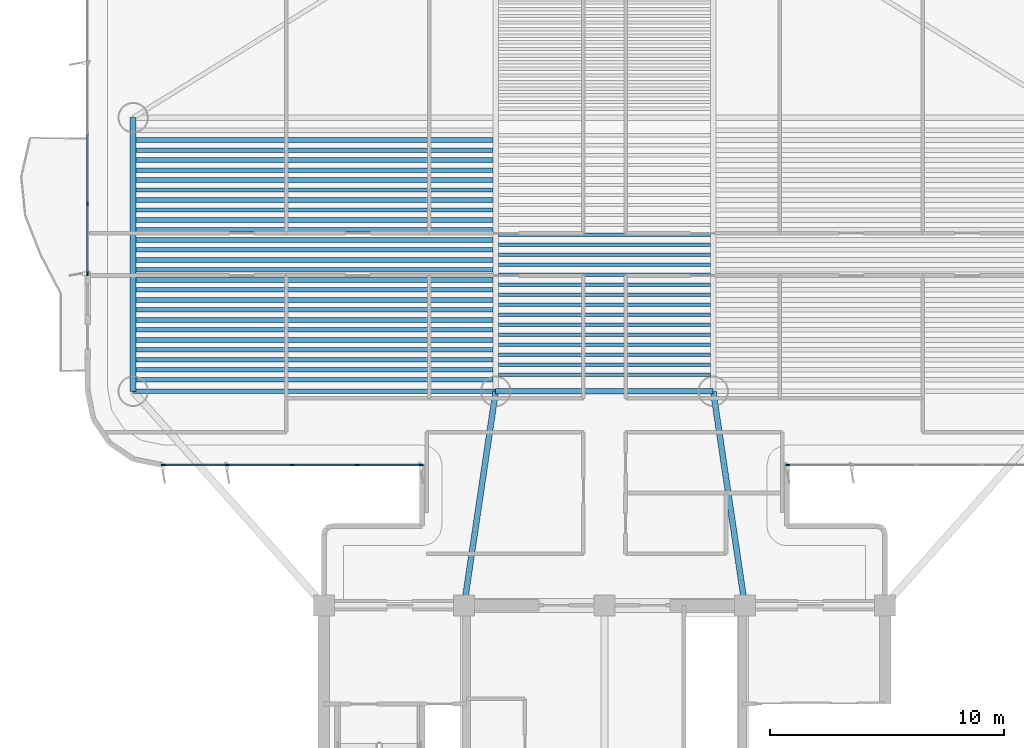
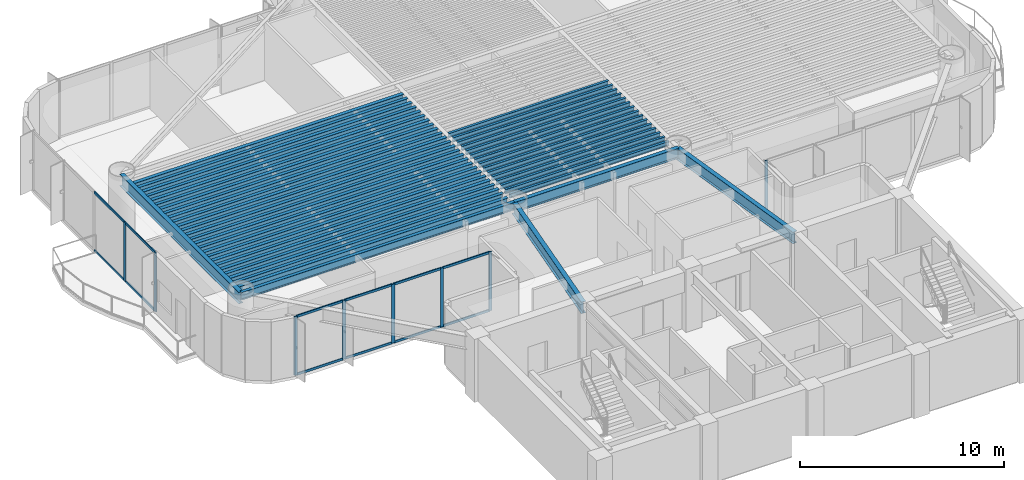
# One storey, part 2 of 16: 45 beams, 20 members, 3 elements without a shape of their own.
"""IFC4 building model written with IfcOpenShell, lengths in metres."""

from ifc_helpers import new_model, si_unit, direction, frame, origin, origin_2d, place, context, subcontext, project, spatial, rectangle, i_section, extrude, source, transform, mapped, material, layer, layer_set, material_profile, profile_set, type_object, element, aggregate, save


model = new_model("IFC4")

# Units and contexts
model_context = context("Model", 3, precision=1e-05, world=origin(), true_north=direction((0.0, 1.0)))
body_context = subcontext(model_context, "Body", "Model", "MODEL_VIEW")
ifc_project = project(units=[si_unit("LENGTHUNIT", "METRE"), si_unit("AREAUNIT", "SQUARE_METRE"), si_unit("VOLUMEUNIT", "CUBIC_METRE"), si_unit("PLANEANGLEUNIT", "RADIAN"), si_unit("MASSUNIT", "GRAM", prefix="KILO")], contexts=[model_context])

# Site, building, storey
site_placement = place(None, origin())
site = spatial("IfcSite", under=ifc_project, at=site_placement, CompositionType="ELEMENT")
building_placement = place(site_placement, origin())
building = spatial("IfcBuilding", under=site, at=building_placement, Name="Brelvock Crest Care Tower", CompositionType="ELEMENT")
storey_placement = place(building_placement, frame((0.0, 0.0, 112.5)))
storey = spatial("IfcBuildingStorey", under=building, at=storey_placement, Name="L28", CompositionType="ELEMENT", Elevation=112.5)

# Beams
ifc_material_1 = material(Name="Steel Grade 350", Category="steel")
ifc_material_profile_1 = material_profile(ifc_material_1, i_section(OverallWidth=0.22900390625, OverallDepth=0.612060546875, WebThickness=0.011962890625, FlangeThickness=0.01953125, FilletRadius=0.013916015625, at=origin_2d()), Name="610UB125")
ifc_profile_set_1 = profile_set([ifc_material_profile_1], Name="Steel Grade 350")
beam_type_1 = type_object("IfcBeamType", Name="BM-G1", PredefinedType="BEAM", material=ifc_profile_set_1)
shared_shape_1 = source(origin(), body_context, "Body", "SweptSolid", [
    extrude(i_section(OverallWidth=0.22900390625, OverallDepth=0.612060546875, WebThickness=0.011962890625, FlangeThickness=0.01953125, FilletRadius=0.013916015625, at=origin_2d()), origin(), (0.0, 0.0, 1.0), 9.2998046875),
])
beam_1_placement = place(storey_placement, frame((31.35009765625, 27.14990234375, 3.22412109375), z_axis=(1.0, 0.0, 0.0), x_axis=(0.0, 1.0, 0.0)))
element("IfcBeam", 1, at=beam_1_placement, inside=storey, type_object=beam_type_1, Name="BM-TWR-L28-05", PredefinedType="BEAM", context=body_context, shape_type="MappedRepresentation", body=[
    mapped(shared_shape_1, transform((0.0, 0.0, 0.0), x_axis=(1.0, 0.0, 0.0), y_axis=(0.0, 1.0, 0.0), z_axis=(0.0, 0.0, 1.0), scale=1.0)),
])
ifc_material_profile_2 = material_profile(ifc_material_1, i_section(OverallWidth=0.14599609375, OverallDepth=0.256103515625, WebThickness=0.00634765625, FlangeThickness=0.010986328125, FilletRadius=0.0087890625, at=origin_2d()), Name="250UB37.3")
ifc_profile_set_2 = profile_set([ifc_material_profile_2], Name="Steel Grade 350")
beam_type_2 = type_object("IfcBeamType", Name="BM-J3", PredefinedType="JOIST", material=ifc_profile_set_2)
shared_shape_2 = source(origin(), body_context, "Body", "SweptSolid", [
    extrude(i_section(OverallWidth=0.14599609375, OverallDepth=0.256103515625, WebThickness=0.00634765625, FlangeThickness=0.010986328125, FilletRadius=0.0087890625, at=origin_2d()), origin(), (0.0, 0.0, 1.0), 9.06982421875),
])
for number, where, z_axis, x_axis, name in (
    (2, (31.465087890625, 27.85498046875, 3.402099609375), (1.0, 0.0, 0.0), (0.0, 1.0, 0.0), "BM-JH-L28-1"),
    (3, (31.465087890625, 28.281982421875, 3.402099609375), (1.0, 0.0, 0.0), (0.0, 1.0, 0.0), "BM-JH-L28-2"),
    (4, (31.465087890625, 28.708984375, 3.402099609375), (1.0, 0.0, 0.0), (0.0, 1.0, 0.0), "BM-JH-L28-3"),
    (5, (31.465087890625, 29.135986328125, 3.402099609375), (1.0, 0.0, 0.0), (0.0, 1.0, 0.0), "BM-JH-L28-4"),
    (6, (31.465087890625, 29.56298828125, 3.402099609375), (1.0, 0.0, 0.0), (0.0, 1.0, 0.0), "BM-JH-L28-5"),
    (7, (31.465087890625, 29.990234375, 3.402099609375), (1.0, 0.0, 0.0), (0.0, 1.0, 0.0), "BM-JH-L28-6"),
    (8, (31.465087890625, 30.417236328125, 3.402099609375), (1.0, 0.0, 0.0), (0.0, 1.0, 0.0), "BM-JH-L28-7"),
    (9, (31.465087890625, 30.84423828125, 3.402099609375), (1.0, 0.0, 0.0), (0.0, 1.0, 0.0), "BM-JH-L28-8"),
    (10, (31.465087890625, 31.271240234375, 3.402099609375), (1.0, 0.0, 0.0), (0.0, 1.0, 0.0), "BM-JH-L28-9"),
    (11, (31.465087890625, 31.698486328125, 3.402099609375), (1.0, 0.0, 0.0), (0.0, 1.0, 0.0), "BM-JH-L28-10"),
    (12, (31.465087890625, 32.12548828125, 3.402099609375), (1.0, 0.0, 0.0), (0.0, 1.0, 0.0), "BM-JH-L28-11"),
    (13, (31.465087890625, 32.552490234375, 3.402099609375), (1.0, 0.0, 0.0), (0.0, 1.0, 0.0), "BM-JH-L28-12"),
    (14, (31.465087890625, 32.9794921875, 3.402099609375), (1.0, 0.0, 0.0), (0.0, 1.0, 0.0), "BM-JH-L28-13"),
    (15, (31.465087890625, 33.406494140625, 3.402099609375), (1.0, 0.0, 0.0), (0.0, 1.0, 0.0), "BM-JH-L28-14"),
    (16, (31.465087890625, 33.83349609375, 3.402099609375), (1.0, 0.0, 0.0), (0.0, 1.0, 0.0), "BM-JH-L28-15"),
):
    element("IfcBeam", number, at=place(storey_placement, frame(where, z_axis=z_axis, x_axis=x_axis)), inside=storey, type_object=beam_type_2, Name=name, PredefinedType="JOIST", context=body_context, shape_type="MappedRepresentation", body=[
        mapped(shared_shape_2, transform((0.0, 0.0, 0.0), x_axis=(1.0, 0.0, 0.0), y_axis=(0.0, 1.0, 0.0), z_axis=(0.0, 0.0, 1.0), scale=1.0)),
    ])
ifc_material_profile_3 = material_profile(ifc_material_1, i_section(OverallWidth=0.208984375, OverallDepth=0.532958984375, WebThickness=0.01025390625, FlangeThickness=0.015625, FilletRadius=0.013916015625, at=origin_2d()), Name="530UB92.4")
ifc_profile_set_3 = profile_set([ifc_material_profile_3], Name="Steel Grade 350")
beam_type_3 = type_object("IfcBeamType", Name="BM-G2", PredefinedType="BEAM", material=ifc_profile_set_3)
shared_shape_3 = source(origin(), body_context, "Body", "SweptSolid", [
    extrude(i_section(OverallWidth=0.208984375, OverallDepth=0.532958984375, WebThickness=0.01025390625, FlangeThickness=0.015625, FilletRadius=0.013916015625, at=origin_2d()), origin(), (0.0, 0.0, 1.0), 15.27001953125),
])
for number, where, z_axis, x_axis, name in (
    (17, (15.965087890625, 27.641357421875, 3.263427734375), (1.0, 0.0, 0.0), (0.0, 1.0, 0.0), "BM-JW-L28-1"),
    (18, (15.965087890625, 28.49560546875, 3.263427734375), (1.0, 0.0, 0.0), (0.0, 1.0, 0.0), "BM-JW-L28-3"),
    (19, (15.965087890625, 29.349609375, 3.263427734375), (1.0, 0.0, 0.0), (0.0, 1.0, 0.0), "BM-JW-L28-5"),
    (20, (15.965087890625, 30.20361328125, 3.263427734375), (1.0, 0.0, 0.0), (0.0, 1.0, 0.0), "BM-JW-L28-7"),
    (21, (15.965087890625, 31.057861328125, 3.263427734375), (1.0, 0.0, 0.0), (0.0, 1.0, 0.0), "BM-JW-L28-9"),
    (22, (15.965087890625, 31.911865234375, 3.263427734375), (1.0, 0.0, 0.0), (0.0, 1.0, 0.0), "BM-JW-L28-11"),
    (23, (15.965087890625, 32.76611328125, 3.263427734375), (1.0, 0.0, 0.0), (0.0, 1.0, 0.0), "BM-JW-L28-13"),
    (24, (15.965087890625, 33.6201171875, 3.263427734375), (1.0, 0.0, 0.0), (0.0, 1.0, 0.0), "BM-JW-L28-15"),
    (25, (15.965087890625, 34.47412109375, 3.263427734375), (1.0, 0.0, 0.0), (0.0, 1.0, 0.0), "BM-JW-L28-17"),
    (26, (15.965087890625, 35.328369140625, 3.263427734375), (1.0, 0.0, 0.0), (0.0, 1.0, 0.0), "BM-JW-L28-19"),
    (27, (15.965087890625, 36.182373046875, 3.263427734375), (1.0, 0.0, 0.0), (0.0, 1.0, 0.0), "BM-JW-L28-21"),
    (28, (15.965087890625, 37.03662109375, 3.263427734375), (1.0, 0.0, 0.0), (0.0, 1.0, 0.0), "BM-JW-L28-23"),
    (29, (15.965087890625, 37.890625, 3.263427734375), (1.0, 0.0, 0.0), (0.0, 1.0, 0.0), "BM-JW-L28-25"),
):
    element("IfcBeam", number, at=place(storey_placement, frame(where, z_axis=z_axis, x_axis=x_axis)), inside=storey, type_object=beam_type_3, Name=name, PredefinedType="BEAM", context=body_context, shape_type="MappedRepresentation", body=[
        mapped(shared_shape_3, transform((0.0, 0.0, 0.0), x_axis=(1.0, 0.0, 0.0), y_axis=(0.0, 1.0, 0.0), z_axis=(0.0, 0.0, 1.0), scale=1.0)),
    ])
ifc_material_profile_4 = material_profile(ifc_material_1, i_section(OverallWidth=0.19091796875, OverallDepth=0.4599609375, WebThickness=0.010009765625, FlangeThickness=0.01611328125, FilletRadius=0.011474609375, at=origin_2d()), Name="460UB82.1")
ifc_profile_set_4 = profile_set([ifc_material_profile_4], Name="Steel Grade 350")
beam_type_4 = type_object("IfcBeamType", Name="BM-G3", PredefinedType="BEAM", material=ifc_profile_set_4)
shared_shape_4 = source(origin(), body_context, "Body", "SweptSolid", [
    extrude(i_section(OverallWidth=0.19091796875, OverallDepth=0.4599609375, WebThickness=0.010009765625, FlangeThickness=0.01611328125, FilletRadius=0.011474609375, at=origin_2d()), origin(), (0.0, 0.0, 1.0), 15.27001953125),
])
for number, where, z_axis, x_axis, name in (
    (30, (15.965087890625, 28.068359375, 3.300048828125), (1.0, 0.0, 0.0), (0.0, 1.0, 0.0), "BM-JW-L28-2"),
    (31, (15.965087890625, 28.922607421875, 3.300048828125), (1.0, 0.0, 0.0), (0.0, 1.0, 0.0), "BM-JW-L28-4"),
    (32, (15.965087890625, 29.776611328125, 3.300048828125), (1.0, 0.0, 0.0), (0.0, 1.0, 0.0), "BM-JW-L28-6"),
    (33, (15.965087890625, 30.630615234375, 3.300048828125), (1.0, 0.0, 0.0), (0.0, 1.0, 0.0), "BM-JW-L28-8"),
    (34, (15.965087890625, 31.48486328125, 3.300048828125), (1.0, 0.0, 0.0), (0.0, 1.0, 0.0), "BM-JW-L28-10"),
    (35, (15.965087890625, 32.3388671875, 3.300048828125), (1.0, 0.0, 0.0), (0.0, 1.0, 0.0), "BM-JW-L28-12"),
    (36, (15.965087890625, 33.193115234375, 3.300048828125), (1.0, 0.0, 0.0), (0.0, 1.0, 0.0), "BM-JW-L28-14"),
    (37, (15.965087890625, 34.047119140625, 3.300048828125), (1.0, 0.0, 0.0), (0.0, 1.0, 0.0), "BM-JW-L28-16"),
    (38, (15.965087890625, 34.901123046875, 3.300048828125), (1.0, 0.0, 0.0), (0.0, 1.0, 0.0), "BM-JW-L28-18"),
    (39, (15.965087890625, 35.75537109375, 3.300048828125), (1.0, 0.0, 0.0), (0.0, 1.0, 0.0), "BM-JW-L28-20"),
    (40, (15.965087890625, 36.609619140625, 3.300048828125), (1.0, 0.0, 0.0), (0.0, 1.0, 0.0), "BM-JW-L28-22"),
    (41, (15.965087890625, 37.46337890625, 3.300048828125), (1.0, 0.0, 0.0), (0.0, 1.0, 0.0), "BM-JW-L28-24"),
):
    element("IfcBeam", number, at=place(storey_placement, frame(where, z_axis=z_axis, x_axis=x_axis)), inside=storey, type_object=beam_type_4, Name=name, PredefinedType="BEAM", context=body_context, shape_type="MappedRepresentation", body=[
        mapped(shared_shape_4, transform((0.0, 0.0, 0.0), x_axis=(1.0, 0.0, 0.0), y_axis=(0.0, 1.0, 0.0), z_axis=(0.0, 0.0, 1.0), scale=1.0)),
    ])
ifc_material_profile_5 = material_profile(ifc_material_1, i_section(OverallWidth=0.25, OverallDepth=0.699951171875, WebThickness=0.011962890625, FlangeThickness=0.02001953125, at=origin_2d()), Name="700WB150")
ifc_profile_set_5 = profile_set([ifc_material_profile_5], Name="Steel Grade 350")
beam_type_5 = type_object("IfcBeamType", Name="BM-G4", PredefinedType="BEAM", material=ifc_profile_set_5)
shared_shape_5 = source(origin(), body_context, "Body", "SweptSolid", [
    extrude(i_section(OverallWidth=0.25, OverallDepth=0.699951171875, WebThickness=0.011962890625, FlangeThickness=0.02001953125, at=origin_2d()), origin(), (0.0, 0.0, 1.0), 11.7001953125),
])
beam_2_placement = place(storey_placement, frame((15.85009765625, 27.14990234375, 3.179931640625), z_axis=(0.0, 1.0, 0.0), x_axis=(-1.0, 0.0, 0.0)))
element("IfcBeam", 42, at=beam_2_placement, inside=storey, type_object=beam_type_5, Name="BM-TWR-L28-01", PredefinedType="BEAM", context=body_context, shape_type="MappedRepresentation", body=[
    mapped(shared_shape_5, transform((0.0, 0.0, 0.0), x_axis=(1.0, 0.0, 0.0), y_axis=(0.0, 1.0, 0.0), z_axis=(0.0, 0.0, 1.0), scale=1.0)),
])
ifc_material_profile_6 = material_profile(ifc_material_1, i_section(OverallWidth=0.19091796875, OverallDepth=0.4599609375, WebThickness=0.010009765625, FlangeThickness=0.01611328125, FilletRadius=0.011474609375, at=origin_2d()), Name="460UB82.1")
ifc_profile_set_6 = profile_set([ifc_material_profile_6], Name="Steel Grade 350")
beam_type_6 = type_object("IfcBeamType", Name="BM-SP2", PredefinedType="SPANDREL", material=ifc_profile_set_6)
shared_shape_6 = source(origin(), body_context, "Body", "SweptSolid", [
    extrude(i_section(OverallWidth=0.19091796875, OverallDepth=0.4599609375, WebThickness=0.010009765625, FlangeThickness=0.01611328125, FilletRadius=0.011474609375, at=origin_2d()), origin(), (0.0, 0.0, 1.0), 15.5),
])
beam_3_placement = place(storey_placement, frame((15.85009765625, 27.14990234375, 3.300048828125), z_axis=(1.0, 0.0, 0.0), x_axis=(0.0, 1.0, 0.0)))
element("IfcBeam", 43, at=beam_3_placement, inside=storey, type_object=beam_type_6, Name="BM-TWR-L28-03", PredefinedType="SPANDREL", context=body_context, shape_type="MappedRepresentation", body=[
    mapped(shared_shape_6, transform((0.0, 0.0, 0.0), x_axis=(1.0, 0.0, 0.0), y_axis=(0.0, 1.0, 0.0), z_axis=(0.0, 0.0, 1.0), scale=1.0)),
])
shared_shape_7 = source(origin(), body_context, "Body", "SweptSolid", [
    extrude(i_section(OverallWidth=0.25, OverallDepth=0.699951171875, WebThickness=0.011962890625, FlangeThickness=0.02001953125, at=origin_2d()), origin(), (0.0, 0.0, 1.0), 9.2490234375),
])
for number, where, z_axis, x_axis, name in (
    (44, (30.0, 18.0, 3.179931640625), (0.145972731602, 0.989288613918, 0.0), (-0.989288613918, 0.145972731602, 0.0), "BM-THRW-L28"),
    (45, (42.0, 18.0, 3.179931640625), (-0.145972731602, 0.989288613918, 0.0), (-0.989288613918, -0.145972731602, 0.0), "BM-THRE-L28"),
):
    element("IfcBeam", number, at=place(storey_placement, frame(where, z_axis=z_axis, x_axis=x_axis)), inside=storey, type_object=beam_type_5, Name=name, PredefinedType="BEAM", context=body_context, shape_type="MappedRepresentation", body=[
        mapped(shared_shape_7, transform((0.0, 0.0, 0.0), x_axis=(1.0, 0.0, 0.0), y_axis=(0.0, 1.0, 0.0), z_axis=(0.0, 0.0, 1.0), scale=1.0)),
    ])

# Curtain wall, members
ifc_material_2 = material(Name="Dark Glass Double Glazed Low-E", Category="glass")
ifc_layer = layer(ifc_material_2, 0.2099609375, Name="CWS-3")
ifc_layer_set = layer_set([ifc_layer], Name="Dark Glass Double Glazed Low-E")
curtain_wall_type = type_object("IfcCurtainWallType", Name="CWS-3", PredefinedType="NOTDEFINED", material=ifc_layer_set)
curtain_wall_1_placement = place(storey_placement, origin())
curtain_wall_1 = element("IfcCurtainWall", 46, at=curtain_wall_1_placement, inside=storey, type_object=curtain_wall_type, Name="L28 Curtain Wall E12", PredefinedType="NOTDEFINED")
ifc_material_3 = material(Name="Aluminium 6063-T6", Category="aluminium")
ifc_material_profile_7 = material_profile(ifc_material_3, rectangle(XDim=0.06005859375, YDim=0.179931640625, at=origin_2d()), Name="ALU60x180")
ifc_profile_set_7 = profile_set([ifc_material_profile_7], Name="Aluminium 6063-T6")
member_type_1 = type_object("IfcMemberType", Name="CWM-2", PredefinedType="MULLION", material=ifc_profile_set_7)
shared_shape_8 = source(origin(), body_context, "Body", "SweptSolid", [
    extrude(rectangle(XDim=0.06005859375, YDim=0.179931640625, at=origin_2d()), origin(), (0.0, 0.0, 1.0), 3.530029296875),
])
member_1_placement = place(storey_placement, frame((28.169921875, 24.0, 0.0), z_axis=(0.0, 0.0, 1.0), x_axis=(0.0, -1.0, 0.0)))
member_1 = element("IfcMember", 47, at=member_1_placement, type_object=member_type_1, Name="CW-3 mullion 1", PredefinedType="MULLION", context=body_context, shape_type="MappedRepresentation", body=[
    mapped(shared_shape_8, transform((0.0, 0.0, 0.0), x_axis=(1.0, 0.0, 0.0), y_axis=(0.0, 1.0, 0.0), z_axis=(0.0, 0.0, 1.0), scale=1.0)),
])
member_2_placement = place(storey_placement, frame((25.425048828125, 24.0, 0.0), z_axis=(0.0, 0.0, 1.0), x_axis=(0.0, -1.0, 0.0)))
member_2 = element("IfcMember", 48, at=member_2_placement, type_object=member_type_1, Name="CW-3 mullion 2", PredefinedType="MULLION", context=body_context, shape_type="MappedRepresentation", body=[
    mapped(shared_shape_8, transform((0.0, 0.0, 0.0), x_axis=(1.0, 0.0, 0.0), y_axis=(0.0, 1.0, 0.0), z_axis=(0.0, 0.0, 1.0), scale=1.0)),
])
member_3_placement = place(storey_placement, frame((22.64990234375, 24.0, 0.0), z_axis=(0.0, 0.0, 1.0), x_axis=(0.0, -1.0, 0.0)))
member_3 = element("IfcMember", 49, at=member_3_placement, type_object=member_type_1, Name="CW-3 mullion 3", PredefinedType="MULLION", context=body_context, shape_type="MappedRepresentation", body=[
    mapped(shared_shape_8, transform((0.0, 0.0, 0.0), x_axis=(1.0, 0.0, 0.0), y_axis=(0.0, 1.0, 0.0), z_axis=(0.0, 0.0, 1.0), scale=1.0)),
])
member_4_placement = place(storey_placement, frame((19.875, 24.0, 0.0), z_axis=(0.0, 0.0, 1.0), x_axis=(0.0, -1.0, 0.0)))
member_4 = element("IfcMember", 50, at=member_4_placement, type_object=member_type_1, Name="CW-3 mullion 4", PredefinedType="MULLION", context=body_context, shape_type="MappedRepresentation", body=[
    mapped(shared_shape_8, transform((0.0, 0.0, 0.0), x_axis=(1.0, 0.0, 0.0), y_axis=(0.0, 1.0, 0.0), z_axis=(0.0, 0.0, 1.0), scale=1.0)),
])
member_5_placement = place(storey_placement, frame((17.1298828125, 24.0, 0.0), z_axis=(0.0, 0.0, 1.0), x_axis=(0.0, -1.0, 0.0)))
member_5 = element("IfcMember", 51, at=member_5_placement, type_object=member_type_1, Name="CW-3 mullion 5", PredefinedType="MULLION", context=body_context, shape_type="MappedRepresentation", body=[
    mapped(shared_shape_8, transform((0.0, 0.0, 0.0), x_axis=(1.0, 0.0, 0.0), y_axis=(0.0, 1.0, 0.0), z_axis=(0.0, 0.0, 1.0), scale=1.0)),
])

curtain_wall_2_placement = place(storey_placement, origin())
curtain_wall_2 = element("IfcCurtainWall", 52, at=curtain_wall_2_placement, inside=storey, type_object=curtain_wall_type, Name="L28 Curtain Wall E17B", PredefinedType="NOTDEFINED")
member_6_placement = place(storey_placement, frame((13.89990234375, 32.179931640625, 0.0), z_axis=(0.0, 0.0, 1.0), x_axis=(-1.0, 0.0, 0.0)))
member_6 = element("IfcMember", 53, at=member_6_placement, type_object=member_type_1, Name="CW-3 mullion 1", PredefinedType="MULLION", context=body_context, shape_type="MappedRepresentation", body=[
    mapped(shared_shape_8, transform((0.0, 0.0, 0.0), x_axis=(1.0, 0.0, 0.0), y_axis=(0.0, 1.0, 0.0), z_axis=(0.0, 0.0, 1.0), scale=1.0)),
])
member_7_placement = place(storey_placement, frame((13.89990234375, 35.16259765625, 0.0), z_axis=(0.0, 0.0, 1.0), x_axis=(-1.0, 0.0, 0.0)))
member_7 = element("IfcMember", 54, at=member_7_placement, type_object=member_type_1, Name="CW-3 mullion 2", PredefinedType="MULLION", context=body_context, shape_type="MappedRepresentation", body=[
    mapped(shared_shape_8, transform((0.0, 0.0, 0.0), x_axis=(1.0, 0.0, 0.0), y_axis=(0.0, 1.0, 0.0), z_axis=(0.0, 0.0, 1.0), scale=1.0)),
])

# Curtain wall, member
curtain_wall_3_placement = place(storey_placement, origin())
curtain_wall_3 = element("IfcCurtainWall", 55, at=curtain_wall_3_placement, inside=storey, type_object=curtain_wall_type, Name="L28 Curtain Wall E44", PredefinedType="NOTDEFINED")
member_8_placement = place(storey_placement, frame((43.830078125, 24.0, 0.0), z_axis=(0.0, 0.0, 1.0), x_axis=(0.0, -1.0, 0.0)))
member_8 = element("IfcMember", 56, at=member_8_placement, type_object=member_type_1, Name="CW-3 mullion 5", PredefinedType="MULLION", context=body_context, shape_type="MappedRepresentation", body=[
    mapped(shared_shape_8, transform((0.0, 0.0, 0.0), x_axis=(1.0, 0.0, 0.0), y_axis=(0.0, 1.0, 0.0), z_axis=(0.0, 0.0, 1.0), scale=1.0)),
])
aggregate(curtain_wall_3, [member_8])

# Member
ifc_material_profile_8 = material_profile(ifc_material_3, rectangle(XDim=0.06005859375, YDim=0.139892578125, at=origin_2d()), Name="ALU60x140")
ifc_profile_set_8 = profile_set([ifc_material_profile_8], Name="Aluminium 6063-T6")
member_type_2 = type_object("IfcMemberType", Name="CWT-2", PredefinedType="USERDEFINED", material=ifc_profile_set_8)
shared_shape_9 = source(origin(), body_context, "Body", "SweptSolid", [
    extrude(rectangle(XDim=0.06005859375, YDim=0.139892578125, at=origin_2d()), origin(), (0.0, 0.0, 1.0), 2.684814453125),
])
member_9_placement = place(storey_placement, frame((28.139892578125, 24.0, 0.030029296875), z_axis=(-1.0, 0.0, 0.0), x_axis=(0.0, -1.0, 0.0)))
member_9 = element("IfcMember", 57, at=member_9_placement, type_object=member_type_2, Name="CW-3 transom 1.1", ObjectType="TRANSOM", PredefinedType="USERDEFINED", context=body_context, shape_type="MappedRepresentation", body=[
    mapped(shared_shape_9, transform((0.0, 0.0, 0.0), x_axis=(1.0, 0.0, 0.0), y_axis=(0.0, 1.0, 0.0), z_axis=(0.0, 0.0, 1.0), scale=1.0)),
])

member_10_placement = place(storey_placement, frame((28.139892578125, 24.0, 3.5), z_axis=(-1.0, 0.0, 0.0), x_axis=(0.0, -1.0, 0.0)))
member_10 = element("IfcMember", 58, at=member_10_placement, type_object=member_type_2, Name="CW-3 transom 1.2", ObjectType="TRANSOM", PredefinedType="USERDEFINED", context=body_context, shape_type="MappedRepresentation", body=[
    mapped(shared_shape_9, transform((0.0, 0.0, 0.0), x_axis=(1.0, 0.0, 0.0), y_axis=(0.0, 1.0, 0.0), z_axis=(0.0, 0.0, 1.0), scale=1.0)),
])

shared_shape_10 = source(origin(), body_context, "Body", "SweptSolid", [
    extrude(rectangle(XDim=0.06005859375, YDim=0.139892578125, at=origin_2d()), origin(), (0.0, 0.0, 1.0), 2.715087890625),
])
member_11_placement = place(storey_placement, frame((25.39501953125, 24.0, 0.030029296875), z_axis=(-1.0, 0.0, 0.0), x_axis=(0.0, -1.0, 0.0)))
member_11 = element("IfcMember", 59, at=member_11_placement, type_object=member_type_2, Name="CW-3 transom 2.1", ObjectType="TRANSOM", PredefinedType="USERDEFINED", context=body_context, shape_type="MappedRepresentation", body=[
    mapped(shared_shape_10, transform((0.0, 0.0, 0.0), x_axis=(1.0, 0.0, 0.0), y_axis=(0.0, 1.0, 0.0), z_axis=(0.0, 0.0, 1.0), scale=1.0)),
])

member_12_placement = place(storey_placement, frame((25.39501953125, 24.0, 3.5), z_axis=(-1.0, 0.0, 0.0), x_axis=(0.0, -1.0, 0.0)))
member_12 = element("IfcMember", 60, at=member_12_placement, type_object=member_type_2, Name="CW-3 transom 2.2", ObjectType="TRANSOM", PredefinedType="USERDEFINED", context=body_context, shape_type="MappedRepresentation", body=[
    mapped(shared_shape_10, transform((0.0, 0.0, 0.0), x_axis=(1.0, 0.0, 0.0), y_axis=(0.0, 1.0, 0.0), z_axis=(0.0, 0.0, 1.0), scale=1.0)),
])

member_13_placement = place(storey_placement, frame((22.6201171875, 24.0, 0.030029296875), z_axis=(-1.0, 0.0, 0.0), x_axis=(0.0, -1.0, 0.0)))
member_13 = element("IfcMember", 61, at=member_13_placement, type_object=member_type_2, Name="CW-3 transom 3.1", ObjectType="TRANSOM", PredefinedType="USERDEFINED", context=body_context, shape_type="MappedRepresentation", body=[
    mapped(shared_shape_10, transform((0.0, 0.0, 0.0), x_axis=(1.0, 0.0, 0.0), y_axis=(0.0, 1.0, 0.0), z_axis=(0.0, 0.0, 1.0), scale=1.0)),
])

member_14_placement = place(storey_placement, frame((22.6201171875, 24.0, 3.5), z_axis=(-1.0, 0.0, 0.0), x_axis=(0.0, -1.0, 0.0)))
member_14 = element("IfcMember", 62, at=member_14_placement, type_object=member_type_2, Name="CW-3 transom 3.2", ObjectType="TRANSOM", PredefinedType="USERDEFINED", context=body_context, shape_type="MappedRepresentation", body=[
    mapped(shared_shape_10, transform((0.0, 0.0, 0.0), x_axis=(1.0, 0.0, 0.0), y_axis=(0.0, 1.0, 0.0), z_axis=(0.0, 0.0, 1.0), scale=1.0)),
])

shared_shape_11 = source(origin(), body_context, "Body", "SweptSolid", [
    extrude(rectangle(XDim=0.06005859375, YDim=0.139892578125, at=origin_2d()), origin(), (0.0, 0.0, 1.0), 2.68505859375),
])
member_15_placement = place(storey_placement, frame((19.844970703125, 24.0, 0.030029296875), z_axis=(-1.0, 0.0, 0.0), x_axis=(0.0, -1.0, 0.0)))
member_15 = element("IfcMember", 63, at=member_15_placement, type_object=member_type_2, Name="CW-3 transom 4.1", ObjectType="TRANSOM", PredefinedType="USERDEFINED", context=body_context, shape_type="MappedRepresentation", body=[
    mapped(shared_shape_11, transform((0.0, 0.0, 0.0), x_axis=(1.0, 0.0, 0.0), y_axis=(0.0, 1.0, 0.0), z_axis=(0.0, 0.0, 1.0), scale=1.0)),
])

member_16_placement = place(storey_placement, frame((19.844970703125, 24.0, 3.5), z_axis=(-1.0, 0.0, 0.0), x_axis=(0.0, -1.0, 0.0)))
member_16 = element("IfcMember", 64, at=member_16_placement, type_object=member_type_2, Name="CW-3 transom 4.2", ObjectType="TRANSOM", PredefinedType="USERDEFINED", context=body_context, shape_type="MappedRepresentation", body=[
    mapped(shared_shape_11, transform((0.0, 0.0, 0.0), x_axis=(1.0, 0.0, 0.0), y_axis=(0.0, 1.0, 0.0), z_axis=(0.0, 0.0, 1.0), scale=1.0)),
])

aggregate(curtain_wall_1, [member_1, member_2, member_3, member_4, member_5, member_9, member_10, member_11, member_12, member_13, member_14, member_15, member_16])

shared_shape_12 = source(origin(), body_context, "Body", "SweptSolid", [
    extrude(rectangle(XDim=0.06005859375, YDim=0.139892578125, at=origin_2d()), origin(), (0.0, 0.0, 1.0), 2.922607421875),
])
member_17_placement = place(storey_placement, frame((13.89990234375, 32.2099609375, 0.030029296875), z_axis=(0.0, 1.0, 0.0), x_axis=(-1.0, 0.0, 0.0)))
member_17 = element("IfcMember", 65, at=member_17_placement, type_object=member_type_2, Name="CW-3 transom 1.1", ObjectType="TRANSOM", PredefinedType="USERDEFINED", context=body_context, shape_type="MappedRepresentation", body=[
    mapped(shared_shape_12, transform((0.0, 0.0, 0.0), x_axis=(1.0, 0.0, 0.0), y_axis=(0.0, 1.0, 0.0), z_axis=(0.0, 0.0, 1.0), scale=1.0)),
])

member_18_placement = place(storey_placement, frame((13.89990234375, 32.2099609375, 3.5), z_axis=(0.0, 1.0, 0.0), x_axis=(-1.0, 0.0, 0.0)))
member_18 = element("IfcMember", 66, at=member_18_placement, type_object=member_type_2, Name="CW-3 transom 1.2", ObjectType="TRANSOM", PredefinedType="USERDEFINED", context=body_context, shape_type="MappedRepresentation", body=[
    mapped(shared_shape_12, transform((0.0, 0.0, 0.0), x_axis=(1.0, 0.0, 0.0), y_axis=(0.0, 1.0, 0.0), z_axis=(0.0, 0.0, 1.0), scale=1.0)),
])

shared_shape_13 = source(origin(), body_context, "Body", "SweptSolid", [
    extrude(rectangle(XDim=0.06005859375, YDim=0.139892578125, at=origin_2d()), origin(), (0.0, 0.0, 1.0), 2.95263671875),
])
member_19_placement = place(storey_placement, frame((13.89990234375, 35.1923828125, 0.030029296875), z_axis=(0.0, 1.0, 0.0), x_axis=(-1.0, 0.0, 0.0)))
member_19 = element("IfcMember", 67, at=member_19_placement, type_object=member_type_2, Name="CW-3 transom 2.1", ObjectType="TRANSOM", PredefinedType="USERDEFINED", context=body_context, shape_type="MappedRepresentation", body=[
    mapped(shared_shape_13, transform((0.0, 0.0, 0.0), x_axis=(1.0, 0.0, 0.0), y_axis=(0.0, 1.0, 0.0), z_axis=(0.0, 0.0, 1.0), scale=1.0)),
])

member_20_placement = place(storey_placement, frame((13.89990234375, 35.1923828125, 3.5), z_axis=(0.0, 1.0, 0.0), x_axis=(-1.0, 0.0, 0.0)))
member_20 = element("IfcMember", 68, at=member_20_placement, type_object=member_type_2, Name="CW-3 transom 2.2", ObjectType="TRANSOM", PredefinedType="USERDEFINED", context=body_context, shape_type="MappedRepresentation", body=[
    mapped(shared_shape_13, transform((0.0, 0.0, 0.0), x_axis=(1.0, 0.0, 0.0), y_axis=(0.0, 1.0, 0.0), z_axis=(0.0, 0.0, 1.0), scale=1.0)),
])

aggregate(curtain_wall_2, [member_6, member_7, member_17, member_18, member_19, member_20])

save(model, "model.ifc")
